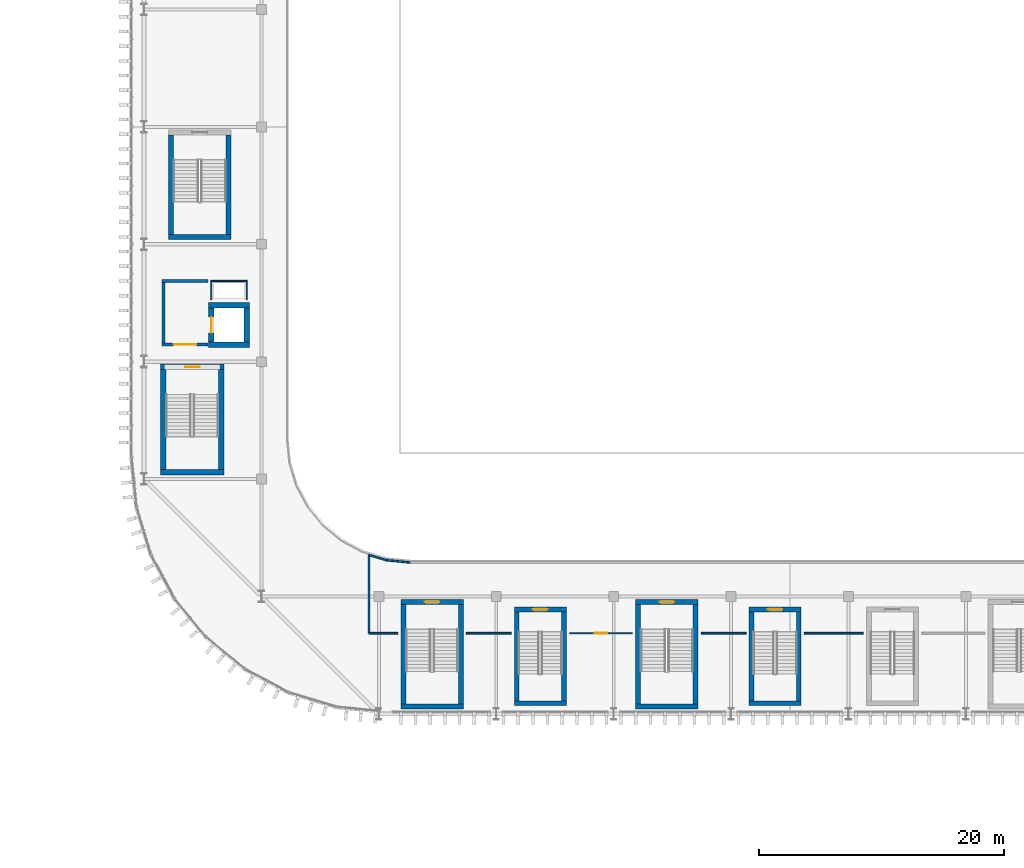
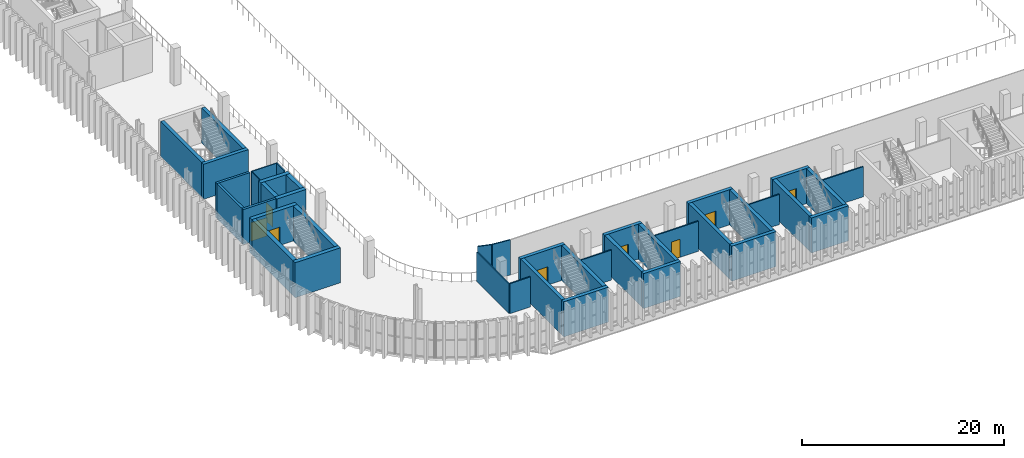
# One storey, part 46 of 75: 41 walls, 8 doors, 8 openings.
"""IFC4 building model written with IfcOpenShell, lengths in metres."""

from ifc_helpers import new_model, si_unit, direction, frame, frame_2d, origin, place, context, subcontext, project, spatial, rectangle, extrude, material, layer, layer_set, type_object, element, fill, save


model = new_model("IFC4")

# Units and contexts
model_context = context("Model", 3, precision=1e-05, world=origin(), true_north=direction((0.0, 1.0)))
body_context = subcontext(model_context, "Body", "Model", "MODEL_VIEW")
ifc_project = project(units=[si_unit("LENGTHUNIT", "METRE"), si_unit("AREAUNIT", "SQUARE_METRE"), si_unit("VOLUMEUNIT", "CUBIC_METRE"), si_unit("PLANEANGLEUNIT", "RADIAN"), si_unit("MASSUNIT", "GRAM", prefix="KILO")], contexts=[model_context])

# Site, building, storey
site_placement = place(None, origin())
site = spatial("IfcSite", under=ifc_project, at=site_placement, CompositionType="ELEMENT")
building_placement = place(site_placement, origin())
building = spatial("IfcBuilding", under=site, at=building_placement, Name="Caelomonte Colonnade Arena", CompositionType="ELEMENT")
storey_placement = place(building_placement, frame((0.0, 0.0, 14.10009765625)))
storey = spatial("IfcBuildingStorey", under=building, at=storey_placement, Name="L03", CompositionType="ELEMENT", Elevation=14.10009765625)

# Wall, opening, door
ifc_material_1 = material(Name="Concrete C40/50", Category="concrete")
ifc_layer_1 = layer(ifc_material_1, 0.260009765625)
ifc_layer_set_1 = layer_set([ifc_layer_1], Name="Concrete C40/50")
wall_type_1 = type_object("IfcWallType", Name="INT-WL-FW26", PredefinedType="SOLIDWALL", material=ifc_layer_set_1)
wall_1_placement = place(storey_placement, frame((59.070068359375, 49.39990234375, 0.0), z_axis=(0.0, 0.0, 1.0), x_axis=(1.0, 0.0, 0.0)))
wall_1 = element("IfcWall", 1, at=wall_1_placement, inside=storey, type_object=wall_type_1, Name="FW-C1-LB L03 south enclosure wall", PredefinedType="SOLIDWALL", context=body_context, shape_type="SweptSolid", body=[
    extrude(rectangle(XDim=3.760009765625, YDim=0.260009765625, at=frame_2d((1.8798828125, 0.0))), origin(), (0.0, 0.0, 1.0), 4.239990234375),
])
opening_1_placement = place(wall_1_placement, frame((2.80517578125, 0.0, 0.0), z_axis=(0.0, 0.0, 1.0), x_axis=(-1.0, 0.0, 0.0)))
opening_1 = element("IfcOpeningElement", 2, at=opening_1_placement, cuts=wall_1, Name="Opening FD-2", PredefinedType="OPENING", context=body_context, shape_type="SweptSolid", body=[
    extrude(rectangle(XDim=1.85009765625, YDim=2.25, at=frame_2d((0.925048828125, 1.125))), frame((0.0, 0.139892578125, 0.0), z_axis=(0.0, -1.0, 0.0), x_axis=(1.0, 0.0, 0.0)), (0.0, 0.0, 1.0), 0.280029296875),
])
ifc_material_2 = material(Name="Fire-rated double steel door", Category="steel")
door_type_1 = type_object("IfcDoorType", Name="INT-DR-FD90B", OperationType="DOUBLE_DOOR_SINGLE_SWING", PredefinedType="DOOR", material=ifc_material_2)
door_1_placement = place(opening_1_placement, origin())
door_1 = element("IfcDoor", 3, at=door_1_placement, inside=storey, type_object=door_type_1, Name="Core C1 L03 lobby fire door", OperationType="DOUBLE_DOOR_SINGLE_SWING", OverallHeight=2.25, OverallWidth=1.85009765625, PredefinedType="DOOR", context=body_context, shape_type="SweptSolid", body=[
    extrude(rectangle(XDim=1.85009765625, YDim=2.25, at=frame_2d((0.925048828125, 1.125))), frame((0.0, 0.02490234375, 0.0), z_axis=(0.0, -1.0, 0.0), x_axis=(1.0, 0.0, 0.0)), (0.0, 0.0, 1.0), 0.050048828125),
])
fill(opening_1, door_1)

# Walls
wall_2_placement = place(storey_placement, frame((62.830078125, 54.60009765625, 0.0), z_axis=(0.0, 0.0, 1.0), x_axis=(-1.0, 0.0, 0.0)))
element("IfcWall", 4, at=wall_2_placement, inside=storey, type_object=wall_type_1, Name="FW-C1-LB L03 north enclosure wall", PredefinedType="SOLIDWALL", context=body_context, shape_type="SweptSolid", body=[
    extrude(rectangle(XDim=3.760009765625, YDim=0.260009765625, at=frame_2d((1.8798828125, 0.0))), origin(), (0.0, 0.0, 1.0), 4.239990234375),
])
wall_3_placement = place(storey_placement, frame((59.199951171875, 54.469970703125, 0.0), z_axis=(0.0, 0.0, 1.0), x_axis=(0.0, -1.0, 0.0)))
element("IfcWall", 5, at=wall_3_placement, inside=storey, type_object=wall_type_1, Name="FW-C1-LB L03 west enclosure wall", PredefinedType="SOLIDWALL", context=body_context, shape_type="SweptSolid", body=[
    extrude(rectangle(XDim=4.93994140625, YDim=0.260009765625, at=frame_2d((2.469970703125, 0.0))), origin(), (0.0, 0.0, 1.0), 4.239990234375),
])
ifc_material_3 = material(Name="Service shaft lining partition")
ifc_layer_2 = layer(ifc_material_3, 0.10009765625)
ifc_layer_set_2 = layer_set([ifc_layer_2], Name="Service shaft lining partition")
wall_type_2 = type_object("IfcWallType", Name="INT-WL-PT10", PredefinedType="PARTITIONING", material=ifc_layer_set_2)
wall_4_placement = place(storey_placement, frame((66.050048828125, 54.60009765625, 0.0), z_axis=(0.0, 0.0, 1.0), x_axis=(-1.0, 0.0, 0.0)))
element("IfcWall", 6, at=wall_4_placement, inside=storey, type_object=wall_type_2, Name="FW-C1-RS L03 north enclosure wall", PredefinedType="PARTITIONING", context=body_context, shape_type="SweptSolid", body=[
    extrude(rectangle(XDim=3.0, YDim=0.10009765625, at=frame_2d((1.5, 0.0))), origin(), (0.0, 0.0, 1.0), 4.239990234375),
])
for number, where, z_axis, x_axis, name in (
    (7, (63.10009765625, 54.550048828125, 0.0), (0.0, 0.0, 1.0), (0.0, -1.0, 0.0), "FW-C1-RS L03 west enclosure wall"),
    (8, (66.0, 53.050048828125, 0.0), (0.0, 0.0, 1.0), (0.0, 1.0, 0.0), "FW-C1-RS L03 east enclosure wall"),
):
    element("IfcWall", number, at=place(storey_placement, frame(where, z_axis=z_axis, x_axis=x_axis)), inside=storey, type_object=wall_type_2, Name=name, PredefinedType="PARTITIONING", context=body_context, shape_type="SweptSolid", body=[
        extrude(rectangle(XDim=1.5, YDim=0.10009765625, at=frame_2d((0.75, 0.0))), origin(), (0.0, 0.0, 1.0), 4.239990234375),
    ])
ifc_material_4 = material(Name="Suite demising stud partition")
ifc_layer_3 = layer(ifc_material_4, 0.139892578125)
ifc_layer_set_3 = layer_set([ifc_layer_3], Name="Suite demising stud partition")
wall_type_3 = type_object("IfcWallType", Name="INT-WL-PT14", PredefinedType="PARTITIONING", material=ifc_layer_set_3)
wall_5_placement = place(storey_placement, frame((77.427490234375, 31.773193359375, 0.0), z_axis=(0.0, 0.0, 1.0), x_axis=(0.995185270943, -0.098011614095, 0.0)))
element("IfcWall", 9, at=wall_5_placement, inside=storey, type_object=wall_type_3, Name="L03 Hospitality Suite South Ring partition 199", PredefinedType="PARTITIONING", context=body_context, shape_type="SweptSolid", body=[
    extrude(rectangle(XDim=1.96044921875, YDim=0.139892578125, at=frame_2d((0.980224609375, 0.0))), origin(), (0.0, 0.0, 1.0), 4.239990234375),
])
wall_6_placement = place(storey_placement, frame((116.419921875, 25.800048828125, 0.0), z_axis=(0.0, 0.0, 1.0), x_axis=(-1.0, 0.0, 0.0)))
element("IfcWall", 10, at=wall_6_placement, inside=storey, type_object=wall_type_3, Name="L03 Hospitality Suite South Ring partition 207", PredefinedType="PARTITIONING", context=body_context, shape_type="SweptSolid", body=[
    extrude(rectangle(XDim=4.83984375, YDim=0.139892578125, at=frame_2d((2.419921875, 0.0))), origin(), (0.0, 0.0, 1.0), 3.637939453125),
])
wall_7_placement = place(storey_placement, frame((106.820068359375, 25.800048828125, 0.0), z_axis=(0.0, 0.0, 1.0), x_axis=(-1.0, 0.0, 0.0)))
element("IfcWall", 11, at=wall_7_placement, inside=storey, type_object=wall_type_3, Name="L03 Hospitality Suite South Ring partition 208", PredefinedType="PARTITIONING", context=body_context, shape_type="SweptSolid", body=[
    extrude(rectangle(XDim=3.670166015625, YDim=0.139892578125, at=frame_2d((1.8349609375, 0.0))), origin(), (0.0, 0.0, 1.0), 3.637939453125),
])

# Wall, opening, door
wall_8_placement = place(storey_placement, frame((97.550048828125, 25.800048828125, 0.0), z_axis=(0.0, 0.0, 1.0), x_axis=(-1.0, 0.0, 0.0)))
wall_8 = element("IfcWall", 12, at=wall_8_placement, inside=storey, type_object=wall_type_3, Name="L03 Hospitality Suite South Ring partition 209", PredefinedType="PARTITIONING", context=body_context, shape_type="SweptSolid", body=[
    extrude(rectangle(XDim=5.170166015625, YDim=0.139892578125, at=frame_2d((2.5849609375, 0.0))), origin(), (0.0, 0.0, 1.0), 3.637939453125),
])
opening_2_placement = place(wall_8_placement, frame((2.0849609375, 0.0, 0.0), z_axis=(0.0, 0.0, 1.0), x_axis=(1.0, 0.0, 0.0)))
opening_2 = element("IfcOpeningElement", 13, at=opening_2_placement, cuts=wall_8, Name="Opening D-L03-059", PredefinedType="OPENING", context=body_context, shape_type="SweptSolid", body=[
    extrude(rectangle(XDim=1.0, YDim=2.199951171875, at=frame_2d((0.5, 1.10009765625))), frame((0.0, 0.079833984375, 0.0), z_axis=(0.0, -1.0, 0.0), x_axis=(1.0, 0.0, 0.0)), (0.0, 0.0, 1.0), 0.159912109375),
])
ifc_material_5 = material(Name="Hardwood veneer acoustic suite door", Category="wood")
door_type_2 = type_object("IfcDoorType", Name="INT-DR-SU1", OperationType="NOTDEFINED", PredefinedType="DOOR", material=ifc_material_5)
door_2_placement = place(opening_2_placement, origin())
door_2 = element("IfcDoor", 14, at=door_2_placement, inside=storey, type_object=door_type_2, Name="L03 Hospitality Suite South Ring door D-L03-059", OperationType="SINGLE_SWING_RIGHT", OverallHeight=2.199951171875, OverallWidth=1.0, PredefinedType="DOOR", context=body_context, shape_type="SweptSolid", body=[
    extrude(rectangle(XDim=1.0, YDim=2.199951171875, at=frame_2d((0.5, 1.10009765625))), frame((0.0, 0.02490234375, 0.0), z_axis=(0.0, -1.0, 0.0), x_axis=(1.0, 0.0, 0.0)), (0.0, 0.0, 1.0), 0.050048828125),
])
fill(opening_2, door_2)

# Walls
wall_9_placement = place(storey_placement, frame((87.6201171875, 25.800048828125, 0.0), z_axis=(0.0, 0.0, 1.0), x_axis=(-1.0, 0.0, 0.0)))
element("IfcWall", 15, at=wall_9_placement, inside=storey, type_object=wall_type_3, Name="L03 Hospitality Suite South Ring partition 210", PredefinedType="PARTITIONING", context=body_context, shape_type="SweptSolid", body=[
    extrude(rectangle(XDim=3.670166015625, YDim=0.139892578125, at=frame_2d((1.8349609375, 0.0))), origin(), (0.0, 0.0, 1.0), 3.637939453125),
])
wall_10_placement = place(storey_placement, frame((78.35009765625, 25.800048828125, 0.0), z_axis=(0.0, 0.0, 1.0), x_axis=(-1.0, 0.0, 0.0)))
element("IfcWall", 16, at=wall_10_placement, inside=storey, type_object=wall_type_3, Name="L03 Hospitality Suite South Ring partition 211", PredefinedType="PARTITIONING", context=body_context, shape_type="SweptSolid", body=[
    extrude(rectangle(XDim=2.35009765625, YDim=0.139892578125, at=frame_2d((1.175048828125, 0.0))), origin(), (0.0, 0.0, 1.0), 3.637939453125),
])
wall_11_placement = place(storey_placement, frame((76.0, 25.800048828125, 0.0), z_axis=(0.0, 0.0, 1.0), x_axis=(0.0, 1.0, 0.0)))
element("IfcWall", 17, at=wall_11_placement, inside=storey, type_object=wall_type_3, Name="L03 Hospitality Suite South Ring partition 212", PredefinedType="PARTITIONING", context=body_context, shape_type="SweptSolid", body=[
    extrude(rectangle(XDim=6.39990234375, YDim=0.139892578125, at=frame_2d((3.199951171875, 0.0))), origin(), (0.0, 0.0, 1.0), 3.556396484375),
])
wall_12_placement = place(storey_placement, frame((76.006103515625, 32.199951171875, 0.0), z_axis=(0.0, 0.0, 1.0), x_axis=(0.956921766266, -0.290345885534, 0.0)))
element("IfcWall", 18, at=wall_12_placement, inside=storey, type_object=wall_type_3, Name="L03 Hospitality Suite South Ring partition 213", PredefinedType="PARTITIONING", context=body_context, shape_type="SweptSolid", body=[
    extrude(rectangle(XDim=1.441162109375, YDim=0.139892578125, at=frame_2d((0.720703125, 0.0))), origin(), (0.0, 0.0, 1.0), 4.239990234375),
])
ifc_material_6 = material(Name="Concrete C50/60", Category="concrete")
ifc_layer_4 = layer(ifc_material_6, 0.39990234375)
ifc_layer_set_4 = layer_set([ifc_layer_4], Name="Concrete C50/60")
wall_type_4 = type_object("IfcWallType", Name="INT-WL-SH40", PredefinedType="SHEAR", material=ifc_layer_set_4)
wall_13_placement = place(storey_placement, frame((59.60009765625, 58.199951171875, 0.0), z_axis=(0.0, 0.0, 1.0), x_axis=(1.0, 0.0, 0.0)))
element("IfcWall", 19, at=wall_13_placement, inside=storey, type_object=wall_type_4, Name="CW-ST-09 L03 south enclosure wall", PredefinedType="SHEAR", context=body_context, shape_type="SweptSolid", body=[
    extrude(rectangle(XDim=5.099853515625, YDim=0.39990234375, at=frame_2d((2.5498046875, 0.0))), origin(), (0.0, 0.0, 1.0), 4.239990234375),
])
for number, where, z_axis, x_axis, name in (
    (20, (59.800048828125, 66.550048828125, 0.0), (0.0, 0.0, 1.0), (0.0, -1.0, 0.0), "CW-ST-09 L03 west enclosure wall"),
    (21, (64.5, 58.39990234375, 0.0), (0.0, 0.0, 1.0), (0.0, 1.0, 0.0), "CW-ST-09 L03 east enclosure wall"),
):
    element("IfcWall", number, at=place(storey_placement, frame(where, z_axis=z_axis, x_axis=x_axis)), inside=storey, type_object=wall_type_4, Name=name, PredefinedType="SHEAR", context=body_context, shape_type="SweptSolid", body=[
        extrude(rectangle(XDim=8.150146484375, YDim=0.39990234375, at=frame_2d((4.0751953125, 0.0))), origin(), (0.0, 0.0, 1.0), 4.239990234375),
    ])
wall_14_placement = place(storey_placement, frame((78.60009765625, 19.800048828125, 0.0), z_axis=(0.0, 0.0, 1.0), x_axis=(1.0, 0.0, 0.0)))
element("IfcWall", 22, at=wall_14_placement, inside=storey, type_object=wall_type_4, Name="CW-ST-11 L03 south enclosure wall", PredefinedType="SHEAR", context=body_context, shape_type="SweptSolid", body=[
    extrude(rectangle(XDim=5.099853515625, YDim=0.39990234375, at=frame_2d((2.5498046875, 0.0))), origin(), (0.0, 0.0, 1.0), 4.239990234375),
])

# Wall, opening, door
wall_15_placement = place(storey_placement, frame((83.699951171875, 28.35009765625, 0.0), z_axis=(0.0, 0.0, 1.0), x_axis=(-1.0, 0.0, 0.0)))
wall_15 = element("IfcWall", 23, at=wall_15_placement, inside=storey, type_object=wall_type_4, Name="CW-ST-11 L03 north enclosure wall", PredefinedType="SHEAR", context=body_context, shape_type="SweptSolid", body=[
    extrude(rectangle(XDim=5.099853515625, YDim=0.39990234375, at=frame_2d((2.5498046875, 0.0))), origin(), (0.0, 0.0, 1.0), 4.239990234375),
])
opening_3_placement = place(wall_15_placement, frame((3.14990234375, 0.0, 0.0), z_axis=(0.0, 0.0, 1.0), x_axis=(-1.0, 0.0, 0.0)))
opening_3 = element("IfcOpeningElement", 24, at=opening_3_placement, cuts=wall_15, Name="Opening FD-1", PredefinedType="OPENING", context=body_context, shape_type="SweptSolid", body=[
    extrude(rectangle(XDim=1.199951171875, YDim=2.199951171875, at=frame_2d((0.60009765625, 1.10009765625))), frame((0.0, 0.2099609375, 0.0), z_axis=(0.0, -1.0, 0.0), x_axis=(1.0, 0.0, 0.0)), (0.0, 0.0, 1.0), 0.419921875),
])
ifc_material_7 = material(Name="Fire-rated steel door", Category="steel")
door_type_3 = type_object("IfcDoorType", Name="INT-DR-FD90A", OperationType="NOTDEFINED", PredefinedType="DOOR", material=ifc_material_7)
door_3_placement = place(opening_3_placement, origin())
door_3 = element("IfcDoor", 25, at=door_3_placement, inside=storey, type_object=door_type_3, Name="Protected exit stair ST-11 L03 fire door", OperationType="SINGLE_SWING_RIGHT", OverallHeight=2.199951171875, OverallWidth=1.199951171875, PredefinedType="DOOR", context=body_context, shape_type="SweptSolid", body=[
    extrude(rectangle(XDim=1.199951171875, YDim=2.199951171875, at=frame_2d((0.60009765625, 1.10009765625))), frame((0.0, 0.02490234375, 0.0), z_axis=(0.0, -1.0, 0.0), x_axis=(1.0, 0.0, 0.0)), (0.0, 0.0, 1.0), 0.050048828125),
])
fill(opening_3, door_3)

# Walls
for number, where, z_axis, x_axis, name in (
    (26, (78.800048828125, 28.14990234375, 0.0), (0.0, 0.0, 1.0), (0.0, -1.0, 0.0), "CW-ST-11 L03 west enclosure wall"),
    (27, (83.5, 20.0, 0.0), (0.0, 0.0, 1.0), (0.0, 1.0, 0.0), "CW-ST-11 L03 east enclosure wall"),
):
    element("IfcWall", number, at=place(storey_placement, frame(where, z_axis=z_axis, x_axis=x_axis)), inside=storey, type_object=wall_type_4, Name=name, PredefinedType="SHEAR", context=body_context, shape_type="SweptSolid", body=[
        extrude(rectangle(XDim=8.14990234375, YDim=0.39990234375, at=frame_2d((4.074951171875, 0.0))), origin(), (0.0, 0.0, 1.0), 4.239990234375),
    ])
wall_16_placement = place(storey_placement, frame((97.800048828125, 19.800048828125, 0.0), z_axis=(0.0, 0.0, 1.0), x_axis=(1.0, 0.0, 0.0)))
element("IfcWall", 28, at=wall_16_placement, inside=storey, type_object=wall_type_4, Name="CW-ST-12 L03 south enclosure wall", PredefinedType="SHEAR", context=body_context, shape_type="SweptSolid", body=[
    extrude(rectangle(XDim=5.099853515625, YDim=0.39990234375, at=frame_2d((2.5498046875, 0.0))), origin(), (0.0, 0.0, 1.0), 4.239990234375),
])

# Wall, opening, door
wall_17_placement = place(storey_placement, frame((102.89990234375, 28.35009765625, 0.0), z_axis=(0.0, 0.0, 1.0), x_axis=(-1.0, 0.0, 0.0)))
wall_17 = element("IfcWall", 29, at=wall_17_placement, inside=storey, type_object=wall_type_4, Name="CW-ST-12 L03 north enclosure wall", PredefinedType="SHEAR", context=body_context, shape_type="SweptSolid", body=[
    extrude(rectangle(XDim=5.099853515625, YDim=0.39990234375, at=frame_2d((2.5498046875, 0.0))), origin(), (0.0, 0.0, 1.0), 4.239990234375),
])
opening_4_placement = place(wall_17_placement, frame((3.14990234375, 0.0, 0.0), z_axis=(0.0, 0.0, 1.0), x_axis=(-1.0, 0.0, 0.0)))
opening_4 = element("IfcOpeningElement", 30, at=opening_4_placement, cuts=wall_17, Name="Opening FD-1", PredefinedType="OPENING", context=body_context, shape_type="SweptSolid", body=[
    extrude(rectangle(XDim=1.199951171875, YDim=2.199951171875, at=frame_2d((0.60009765625, 1.10009765625))), frame((0.0, 0.2099609375, 0.0), z_axis=(0.0, -1.0, 0.0), x_axis=(1.0, 0.0, 0.0)), (0.0, 0.0, 1.0), 0.419921875),
])
door_4_placement = place(opening_4_placement, origin())
door_4 = element("IfcDoor", 31, at=door_4_placement, inside=storey, type_object=door_type_3, Name="Protected exit stair ST-12 L03 fire door", OperationType="SINGLE_SWING_LEFT", OverallHeight=2.199951171875, OverallWidth=1.199951171875, PredefinedType="DOOR", context=body_context, shape_type="SweptSolid", body=[
    extrude(rectangle(XDim=1.199951171875, YDim=2.199951171875, at=frame_2d((0.60009765625, 1.10009765625))), frame((0.0, 0.02490234375, 0.0), z_axis=(0.0, -1.0, 0.0), x_axis=(1.0, 0.0, 0.0)), (0.0, 0.0, 1.0), 0.050048828125),
])
fill(opening_4, door_4)

# Walls
for number, where, z_axis, x_axis, name in (
    (32, (98.0, 28.14990234375, 0.0), (0.0, 0.0, 1.0), (0.0, -1.0, 0.0), "CW-ST-12 L03 west enclosure wall"),
    (33, (102.699951171875, 20.0, 0.0), (0.0, 0.0, 1.0), (0.0, 1.0, 0.0), "CW-ST-12 L03 east enclosure wall"),
):
    element("IfcWall", number, at=place(storey_placement, frame(where, z_axis=z_axis, x_axis=x_axis)), inside=storey, type_object=wall_type_4, Name=name, PredefinedType="SHEAR", context=body_context, shape_type="SweptSolid", body=[
        extrude(rectangle(XDim=8.14990234375, YDim=0.39990234375, at=frame_2d((4.074951171875, 0.0))), origin(), (0.0, 0.0, 1.0), 4.239990234375),
    ])
wall_18_placement = place(storey_placement, frame((87.8701171875, 20.070068359375, 0.0), z_axis=(0.0, 0.0, 1.0), x_axis=(1.0, 0.0, 0.0)))
element("IfcWall", 34, at=wall_18_placement, inside=storey, type_object=wall_type_4, Name="CW-ST-V09 L03 south enclosure wall", PredefinedType="SHEAR", context=body_context, shape_type="SweptSolid", body=[
    extrude(rectangle(XDim=4.259765625, YDim=0.39990234375, at=frame_2d((2.1298828125, 0.0))), origin(), (0.0, 0.0, 1.0), 4.239990234375),
])

# Wall, opening, door
wall_19_placement = place(storey_placement, frame((92.1298828125, 27.72998046875, 0.0), z_axis=(0.0, 0.0, 1.0), x_axis=(-1.0, 0.0, 0.0)))
wall_19 = element("IfcWall", 35, at=wall_19_placement, inside=storey, type_object=wall_type_4, Name="CW-ST-V09 L03 north enclosure wall", PredefinedType="SHEAR", context=body_context, shape_type="SweptSolid", body=[
    extrude(rectangle(XDim=4.259765625, YDim=0.39990234375, at=frame_2d((2.1298828125, 0.0))), origin(), (0.0, 0.0, 1.0), 4.239990234375),
])
opening_5_placement = place(wall_19_placement, frame((2.72998046875, 0.0, 0.0), z_axis=(0.0, 0.0, 1.0), x_axis=(-1.0, 0.0, 0.0)))
opening_5 = element("IfcOpeningElement", 36, at=opening_5_placement, cuts=wall_19, Name="Opening FD-1", PredefinedType="OPENING", context=body_context, shape_type="SweptSolid", body=[
    extrude(rectangle(XDim=1.199951171875, YDim=2.199951171875, at=frame_2d((0.60009765625, 1.10009765625))), frame((0.0, 0.2099609375, 0.0), z_axis=(0.0, -1.0, 0.0), x_axis=(1.0, 0.0, 0.0)), (0.0, 0.0, 1.0), 0.419921875),
])
door_5_placement = place(opening_5_placement, origin())
door_5 = element("IfcDoor", 37, at=door_5_placement, inside=storey, type_object=door_type_3, Name="Vomitory VOM-09 stair ST-V09 L03 portal door", OperationType="SINGLE_SWING_RIGHT", OverallHeight=2.199951171875, OverallWidth=1.199951171875, PredefinedType="DOOR", context=body_context, shape_type="SweptSolid", body=[
    extrude(rectangle(XDim=1.199951171875, YDim=2.199951171875, at=frame_2d((0.60009765625, 1.10009765625))), frame((0.0, 0.02490234375, 0.0), z_axis=(0.0, -1.0, 0.0), x_axis=(1.0, 0.0, 0.0)), (0.0, 0.0, 1.0), 0.050048828125),
])
fill(opening_5, door_5)

# Walls
for number, where, z_axis, x_axis, name in (
    (38, (88.070068359375, 27.530029296875, 0.0), (0.0, 0.0, 1.0), (0.0, -1.0, 0.0), "CW-ST-V09 L03 west enclosure wall"),
    (39, (91.929931640625, 20.27001953125, 0.0), (0.0, 0.0, 1.0), (0.0, 1.0, 0.0), "CW-ST-V09 L03 east enclosure wall"),
):
    element("IfcWall", number, at=place(storey_placement, frame(where, z_axis=z_axis, x_axis=x_axis)), inside=storey, type_object=wall_type_4, Name=name, PredefinedType="SHEAR", context=body_context, shape_type="SweptSolid", body=[
        extrude(rectangle(XDim=7.260009765625, YDim=0.39990234375, at=frame_2d((3.6298828125, 0.0))), origin(), (0.0, 0.0, 1.0), 4.239990234375),
    ])
wall_20_placement = place(storey_placement, frame((107.070068359375, 20.070068359375, 0.0), z_axis=(0.0, 0.0, 1.0), x_axis=(1.0, 0.0, 0.0)))
element("IfcWall", 40, at=wall_20_placement, inside=storey, type_object=wall_type_4, Name="CW-ST-V10 L03 south enclosure wall", PredefinedType="SHEAR", context=body_context, shape_type="SweptSolid", body=[
    extrude(rectangle(XDim=4.260009765625, YDim=0.39990234375, at=frame_2d((2.1298828125, 0.0))), origin(), (0.0, 0.0, 1.0), 4.239990234375),
])

# Wall, opening, door
wall_21_placement = place(storey_placement, frame((111.330078125, 27.72998046875, 0.0), z_axis=(0.0, 0.0, 1.0), x_axis=(-1.0, 0.0, 0.0)))
wall_21 = element("IfcWall", 41, at=wall_21_placement, inside=storey, type_object=wall_type_4, Name="CW-ST-V10 L03 north enclosure wall", PredefinedType="SHEAR", context=body_context, shape_type="SweptSolid", body=[
    extrude(rectangle(XDim=4.260009765625, YDim=0.39990234375, at=frame_2d((2.1298828125, 0.0))), origin(), (0.0, 0.0, 1.0), 4.239990234375),
])
opening_6_placement = place(wall_21_placement, frame((2.72998046875, 0.0, 0.0), z_axis=(0.0, 0.0, 1.0), x_axis=(-1.0, 0.0, 0.0)))
opening_6 = element("IfcOpeningElement", 42, at=opening_6_placement, cuts=wall_21, Name="Opening FD-1", PredefinedType="OPENING", context=body_context, shape_type="SweptSolid", body=[
    extrude(rectangle(XDim=1.199951171875, YDim=2.199951171875, at=frame_2d((0.60009765625, 1.10009765625))), frame((0.0, 0.2099609375, 0.0), z_axis=(0.0, -1.0, 0.0), x_axis=(1.0, 0.0, 0.0)), (0.0, 0.0, 1.0), 0.419921875),
])
door_6_placement = place(opening_6_placement, origin())
door_6 = element("IfcDoor", 43, at=door_6_placement, inside=storey, type_object=door_type_3, Name="Vomitory VOM-10 stair ST-V10 L03 portal door", OperationType="SINGLE_SWING_RIGHT", OverallHeight=2.199951171875, OverallWidth=1.199951171875, PredefinedType="DOOR", context=body_context, shape_type="SweptSolid", body=[
    extrude(rectangle(XDim=1.199951171875, YDim=2.199951171875, at=frame_2d((0.60009765625, 1.10009765625))), frame((0.0, 0.02490234375, 0.0), z_axis=(0.0, -1.0, 0.0), x_axis=(1.0, 0.0, 0.0)), (0.0, 0.0, 1.0), 0.050048828125),
])
fill(opening_6, door_6)

# Walls
for number, where, z_axis, x_axis, name in (
    (44, (107.27001953125, 27.530029296875, 0.0), (0.0, 0.0, 1.0), (0.0, -1.0, 0.0), "CW-ST-V10 L03 west enclosure wall"),
    (45, (111.1298828125, 20.27001953125, 0.0), (0.0, 0.0, 1.0), (0.0, 1.0, 0.0), "CW-ST-V10 L03 east enclosure wall"),
):
    element("IfcWall", number, at=place(storey_placement, frame(where, z_axis=z_axis, x_axis=x_axis)), inside=storey, type_object=wall_type_4, Name=name, PredefinedType="SHEAR", context=body_context, shape_type="SweptSolid", body=[
        extrude(rectangle(XDim=7.260009765625, YDim=0.39990234375, at=frame_2d((3.6298828125, 0.0))), origin(), (0.0, 0.0, 1.0), 4.239990234375),
    ])
ifc_layer_5 = layer(ifc_material_6, 0.449951171875)
ifc_layer_set_5 = layer_set([ifc_layer_5], Name="Concrete C50/60")
wall_type_5 = type_object("IfcWallType", Name="INT-WL-SH45", PredefinedType="SHEAR", material=ifc_layer_set_5)
wall_22_placement = place(storey_placement, frame((58.949951171875, 38.97509765625, 0.0), z_axis=(0.0, 0.0, 1.0), x_axis=(1.0, 0.0, 0.0)))
element("IfcWall", 46, at=wall_22_placement, inside=storey, type_object=wall_type_5, Name="CW-C1-ST L03 south enclosure wall", PredefinedType="SHEAR", context=body_context, shape_type="SweptSolid", body=[
    extrude(rectangle(XDim=5.199951171875, YDim=0.449951171875, at=frame_2d((2.60009765625, 0.0))), origin(), (0.0, 0.0, 1.0), 4.239990234375),
])

# Wall, opening, door
wall_23_placement = place(storey_placement, frame((64.14990234375, 47.574951171875, 0.0), z_axis=(0.0, 0.0, 1.0), x_axis=(-1.0, 0.0, 0.0)))
wall_23 = element("IfcWall", 47, at=wall_23_placement, inside=storey, type_object=wall_type_5, Name="CW-C1-ST L03 north enclosure wall", PredefinedType="SHEAR", context=body_context, shape_type="SweptSolid", body=[
    extrude(rectangle(XDim=5.199951171875, YDim=0.449951171875, at=frame_2d((2.60009765625, 0.0))), origin(), (0.0, 0.0, 1.0), 4.239990234375),
])
opening_7_placement = place(wall_23_placement, frame((3.199951171875, 0.0, 0.0), z_axis=(0.0, 0.0, 1.0), x_axis=(-1.0, 0.0, 0.0)))
opening_7 = element("IfcOpeningElement", 48, at=opening_7_placement, cuts=wall_23, Name="Opening FD-1", PredefinedType="OPENING", context=body_context, shape_type="SweptSolid", body=[
    extrude(rectangle(XDim=1.199951171875, YDim=2.199951171875, at=frame_2d((0.60009765625, 1.10009765625))), frame((0.0, 0.23486328125, 0.0), z_axis=(0.0, -1.0, 0.0), x_axis=(1.0, 0.0, 0.0)), (0.0, 0.0, 1.0), 0.469970703125),
])
door_7_placement = place(opening_7_placement, origin())
door_7 = element("IfcDoor", 49, at=door_7_placement, inside=storey, type_object=door_type_3, Name="Core C1 L03 exit stair fire door", OperationType="SINGLE_SWING_RIGHT", OverallHeight=2.199951171875, OverallWidth=1.199951171875, PredefinedType="DOOR", context=body_context, shape_type="SweptSolid", body=[
    extrude(rectangle(XDim=1.199951171875, YDim=2.199951171875, at=frame_2d((0.60009765625, 1.10009765625))), frame((0.0, 0.02490234375, 0.0), z_axis=(0.0, -1.0, 0.0), x_axis=(1.0, 0.0, 0.0)), (0.0, 0.0, 1.0), 0.050048828125),
])
fill(opening_7, door_7)

# Walls
for number, where, z_axis, x_axis, name in (
    (50, (59.175048828125, 47.35009765625, 0.0), (0.0, 0.0, 1.0), (0.0, -1.0, 0.0), "CW-C1-ST L03 west enclosure wall"),
    (51, (63.925048828125, 39.199951171875, 0.0), (0.0, 0.0, 1.0), (0.0, 1.0, 0.0), "CW-C1-ST L03 east enclosure wall"),
):
    element("IfcWall", number, at=place(storey_placement, frame(where, z_axis=z_axis, x_axis=x_axis)), inside=storey, type_object=wall_type_5, Name=name, PredefinedType="SHEAR", context=body_context, shape_type="SweptSolid", body=[
        extrude(rectangle(XDim=8.150146484375, YDim=0.449951171875, at=frame_2d((4.0751953125, 0.0))), origin(), (0.0, 0.0, 1.0), 4.239990234375),
    ])
for number, where, z_axis, x_axis, name in (
    (52, (62.875, 49.39990234375, 0.0), (0.0, 0.0, 1.0), (1.0, 0.0, 0.0), "CW-C1-LF L03 south enclosure wall"),
    (53, (66.22509765625, 52.60009765625, 0.0), (0.0, 0.0, 1.0), (-1.0, 0.0, 0.0), "CW-C1-LF L03 north enclosure wall"),
):
    element("IfcWall", number, at=place(storey_placement, frame(where, z_axis=z_axis, x_axis=x_axis)), inside=storey, type_object=wall_type_5, Name=name, PredefinedType="SHEAR", context=body_context, shape_type="SweptSolid", body=[
        extrude(rectangle(XDim=3.35009765625, YDim=0.449951171875, at=frame_2d((1.675048828125, 0.0))), origin(), (0.0, 0.0, 1.0), 4.239990234375),
    ])

# Wall, opening, door
wall_24_placement = place(storey_placement, frame((63.10009765625, 52.375, 0.0), z_axis=(0.0, 0.0, 1.0), x_axis=(0.0, -1.0, 0.0)))
wall_24 = element("IfcWall", 54, at=wall_24_placement, inside=storey, type_object=wall_type_5, Name="CW-C1-LF L03 west enclosure wall", PredefinedType="SHEAR", context=body_context, shape_type="SweptSolid", body=[
    extrude(rectangle(XDim=2.75, YDim=0.449951171875, at=frame_2d((1.375, 0.0))), origin(), (0.0, 0.0, 1.0), 4.239990234375),
])
opening_8_placement = place(wall_24_placement, frame((0.72509765625, 0.0, 0.0), z_axis=(0.0, 0.0, 1.0), x_axis=(1.0, 0.0, 0.0)))
opening_8 = element("IfcOpeningElement", 55, at=opening_8_placement, cuts=wall_24, Name="Opening LD-FL-01-L03", PredefinedType="OPENING", context=body_context, shape_type="SweptSolid", body=[
    extrude(rectangle(XDim=1.300048828125, YDim=2.25, at=frame_2d((0.64990234375, 1.125))), frame((0.0, 0.23486328125, 0.0), z_axis=(0.0, -1.0, 0.0), x_axis=(1.0, 0.0, 0.0)), (0.0, 0.0, 1.0), 0.469970703125),
])
ifc_material_8 = material(Name="Firefighting lift landing door")
door_type_4 = type_object("IfcDoorType", Name="INT-DR-LD2", OperationType="SLIDING_TO_RIGHT", PredefinedType="DOOR", material=ifc_material_8)
door_8_placement = place(opening_8_placement, origin())
door_8 = element("IfcDoor", 56, at=door_8_placement, inside=storey, type_object=door_type_4, Name="Lift FL-01 L03 sliding landing door", OperationType="SLIDING_TO_RIGHT", OverallHeight=2.25, OverallWidth=1.300048828125, PredefinedType="DOOR", context=body_context, shape_type="SweptSolid", body=[
    extrude(rectangle(XDim=1.300048828125, YDim=2.25, at=frame_2d((0.64990234375, 1.125))), frame((0.0, 0.02490234375, 0.0), z_axis=(0.0, -1.0, 0.0), x_axis=(1.0, 0.0, 0.0)), (0.0, 0.0, 1.0), 0.050048828125),
])
fill(opening_8, door_8)

# Wall
wall_25_placement = place(storey_placement, frame((66.0, 49.625, 0.0), z_axis=(0.0, 0.0, 1.0), x_axis=(0.0, 1.0, 0.0)))
element("IfcWall", 57, at=wall_25_placement, inside=storey, type_object=wall_type_5, Name="CW-C1-LF L03 east enclosure wall", PredefinedType="SHEAR", context=body_context, shape_type="SweptSolid", body=[
    extrude(rectangle(XDim=2.75, YDim=0.449951171875, at=frame_2d((1.375, 0.0))), origin(), (0.0, 0.0, 1.0), 4.239990234375),
])

save(model, "model.ifc")
